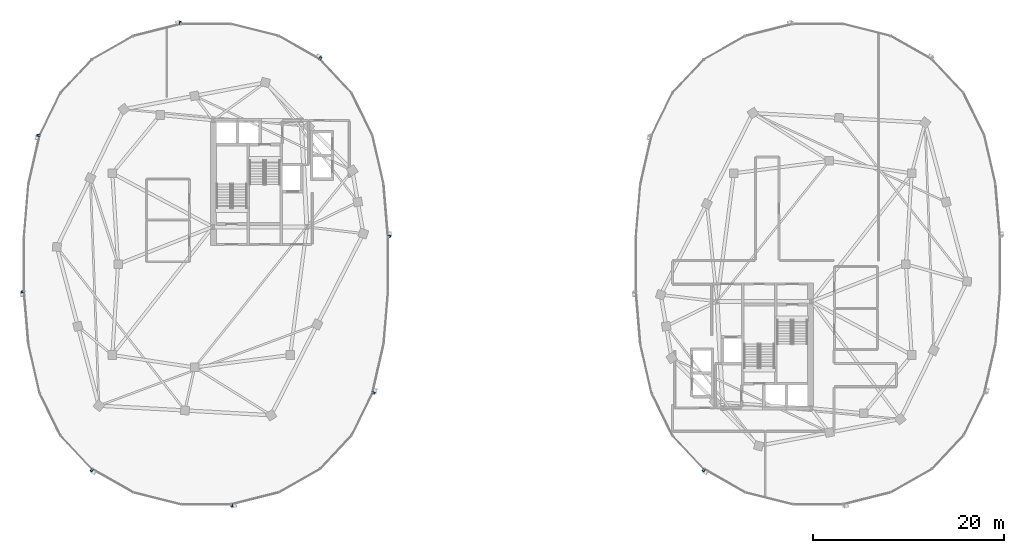
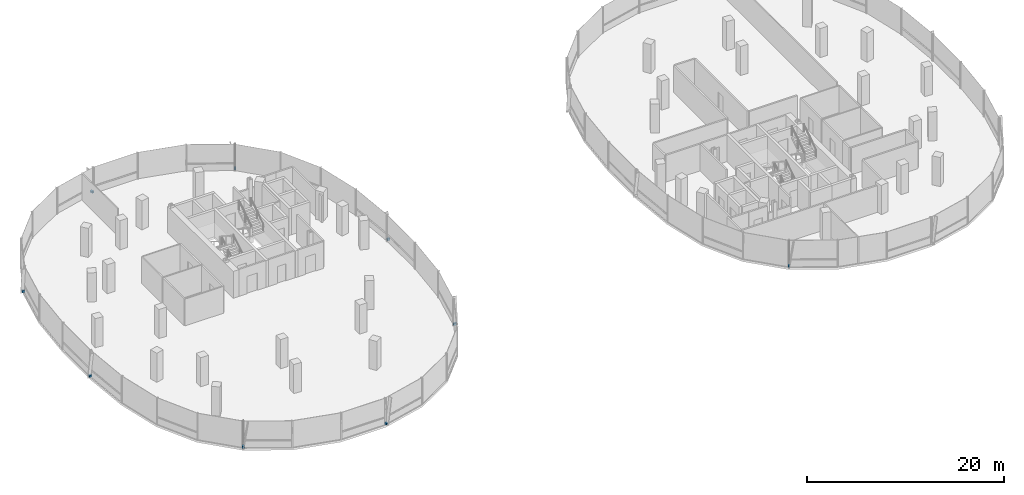
# One storey, part 18 of 24: 9 discrete accessories.
"""IFC4 building model written with IfcOpenShell, lengths in metres."""

from ifc_helpers import new_model, si_unit, direction, frame, origin, origin_2d, place, context, subcontext, project, spatial, rectangle, extrude, material, type_object, element, save


model = new_model("IFC4")

# Units and contexts
model_context = context("Model", 3, precision=1e-05, world=origin(), true_north=direction((0.0, 1.0)))
body_context = subcontext(model_context, "Body", "Model", "MODEL_VIEW")
ifc_project = project(units=[si_unit("LENGTHUNIT", "METRE"), si_unit("AREAUNIT", "SQUARE_METRE"), si_unit("VOLUMEUNIT", "CUBIC_METRE"), si_unit("PLANEANGLEUNIT", "RADIAN"), si_unit("MASSUNIT", "GRAM", prefix="KILO"), si_unit("THERMODYNAMICTEMPERATUREUNIT", "KELVIN"), si_unit("POWERUNIT", "WATT")], contexts=[model_context])

# Site, building, storey
site_placement = place(None, origin())
site = spatial("IfcSite", under=ifc_project, at=site_placement, CompositionType="ELEMENT")
building_placement = place(site_placement, origin())
building = spatial("IfcBuilding", under=site, at=building_placement, Name="Cundina Bronze Exchange", CompositionType="ELEMENT")
storey_placement = place(building_placement, frame((0.0, 0.0, 231.39990234375)))
storey = spatial("IfcBuildingStorey", under=building, at=storey_placement, Name="L61", CompositionType="ELEMENT", Elevation=231.39990234375)

# Discrete accessories
ifc_material = material(Name="Anodised Bronze Aluminium 6063-T6", Category="aluminium")
discrete_accessory_type = type_object("IfcDiscreteAccessoryType", Name="ACC-BRK-FIN", PredefinedType="BRACKET", material=ifc_material)
for number, where, z_axis, x_axis, name in (
    (1, (-12.84521484375, 2.893798828125, 0.10009765625), (0.0, 0.0, 1.0), (-0.083747411454, 0.996487015006, 0.0), "L61 Fin Support Bracket 1"),
    (2, (-20.038818359375, 21.539794921875, 0.10009765625), (0.0, 0.0, 1.0), (-0.869572506985, 0.493805280547, 0.0), "L61 Fin Support Bracket 5"),
    (3, (-34.678955078125, 25.23779296875, 0.10009765625), (0.0, 0.0, 1.0), (-0.969731542251, -0.244173577528, 0.0), "L61 Fin Support Bracket 1"),
    (4, (-49.529541015625, 13.468505859375, 0.10009765625), (0.0, 0.0, 1.0), (-0.223284141459, -0.974753400698, 0.0), "L61 Fin Support Bracket 5"),
    (5, (-51.15478515625, -2.893798828125, 0.10009765625), (0.0, 0.0, 1.0), (0.083747411454, -0.996487015006, 0.0), "L61 Fin Support Bracket 1"),
    (6, (-43.961181640625, -21.539794921875, 0.10009765625), (0.0, 0.0, 1.0), (0.869572506985, -0.493805280547, 0.0), "L61 Fin Support Bracket 5"),
    (7, (-29.321044921875, -25.23779296875, 0.10009765625), (0.0, 0.0, 1.0), (0.969731542251, 0.244173577528, 0.0), "L61 Fin Support Bracket 1"),
    (8, (-14.470458984375, -13.468505859375, 0.10009765625), (0.0, 0.0, 1.0), (0.223284141459, 0.974753400698, 0.0), "L61 Fin Support Bracket 5"),
    (9, (20.038818359375, -21.539794921875, 0.10009765625), (0.0, 0.0, 1.0), (0.869572506985, -0.493805280547, 0.0), "L61 Fin Support Bracket 5"),
):
    element("IfcDiscreteAccessory", number, at=place(storey_placement, frame(where, z_axis=z_axis, x_axis=x_axis)), inside=storey, type_object=discrete_accessory_type, Name=name, PredefinedType="BRACKET", context=body_context, shape_type="SweptSolid", body=[
        extrude(rectangle(XDim=0.219970703125, YDim=0.320068359375, at=origin_2d()), origin(), (0.0, 0.0, 1.0), 0.239990234375),
    ])

save(model, "model.ifc")
